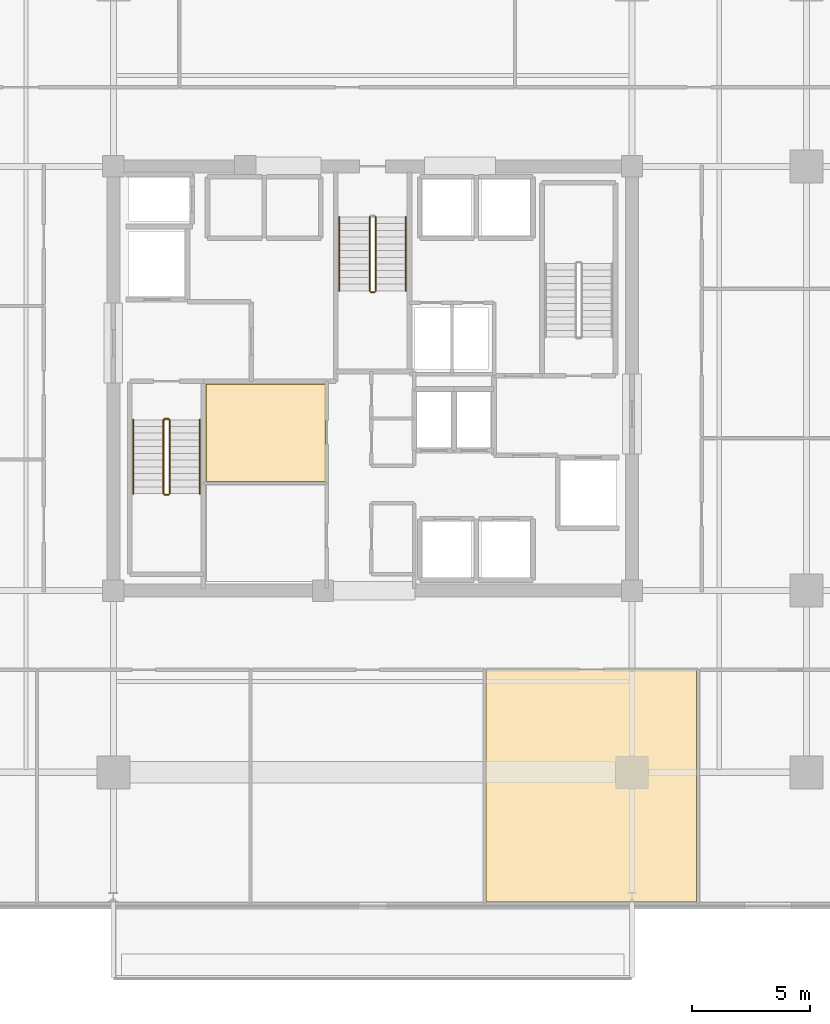
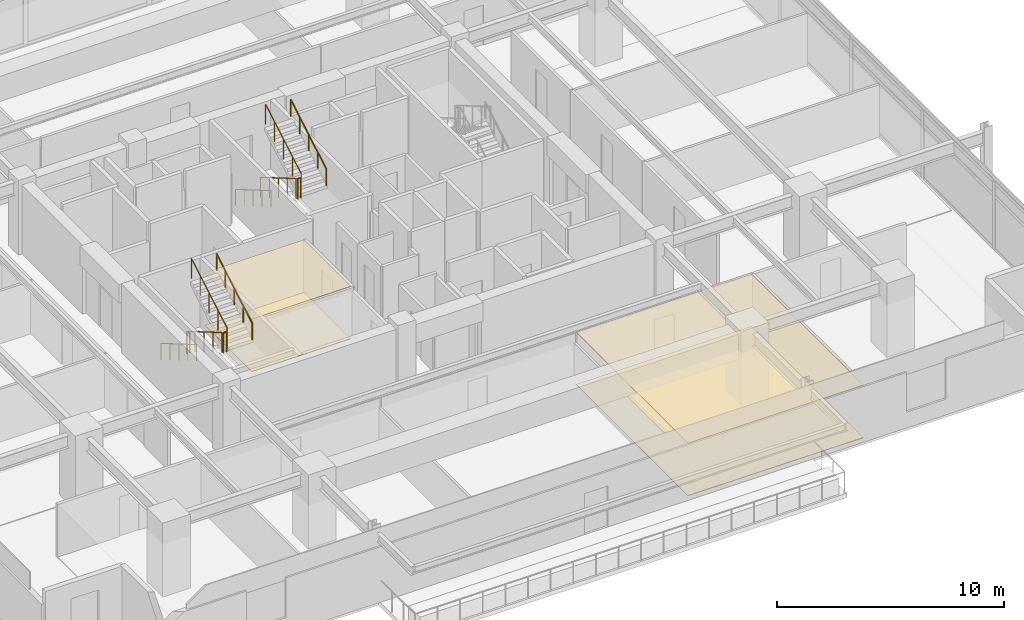
# One storey, part 19 of 22: 11 railings, 4 coverings.
"""IFC4 building model written with IfcOpenShell, lengths in metres."""

from ifc_helpers import new_model, si_unit, direction, frame, origin, origin_2d, place, context, subcontext, project, spatial, polyline, circle, outline, extrude, material, layer, layer_set, type_object, element, save


model = new_model("IFC4")

# Units and contexts
model_context = context("Model", 3, precision=1e-05, world=origin(), true_north=direction((0.0, 1.0)))
body_context = subcontext(model_context, "Body", "Model", "MODEL_VIEW")
ifc_project = project(units=[si_unit("LENGTHUNIT", "METRE"), si_unit("AREAUNIT", "SQUARE_METRE"), si_unit("VOLUMEUNIT", "CUBIC_METRE"), si_unit("PLANEANGLEUNIT", "RADIAN"), si_unit("MASSUNIT", "GRAM", prefix="KILO")], contexts=[model_context])

# Site, building, storey
site_placement = place(None, origin())
site = spatial("IfcSite", under=ifc_project, at=site_placement, CompositionType="ELEMENT")
building_placement = place(site_placement, origin())
building = spatial("IfcBuilding", under=site, at=building_placement, Name="Kovane Verandah Tower", CompositionType="ELEMENT")
storey_placement = place(building_placement, frame((0.0, 0.0, 229.199951171875)))
storey = spatial("IfcBuildingStorey", under=building, at=storey_placement, Name="L53", CompositionType="ELEMENT", Elevation=229.199951171875)

# Coverings
ifc_material_1 = material(Name="Perforated Acoustic Mineral-Fibre Ceiling Tile", Category="gypsum")
ifc_layer_1 = layer(ifc_material_1, 0.02490234375)
ifc_layer_set_1 = layer_set([ifc_layer_1], Name="Perforated Acoustic Mineral-Fibre Ceiling Tile")
covering_type_1 = type_object("IfcCoveringType", Name="CV-CEIL-25", PredefinedType="CEILING", material=ifc_layer_set_1)
covering_1_placement = place(storey_placement, frame((0.0, 0.0, 2.824951171875)))
element("IfcCovering", 1, at=covering_1_placement, inside=storey, type_object=covering_type_1, Name="L53 Telecom MDF Room Acoustic Ceiling", PredefinedType="CEILING", context=body_context, shape_type="SweptSolid", body=[
    extrude(outline(polyline([(32.93505859375, 23.125), (37.9951171875, 23.125), (37.9951171875, 27.264892578125), (32.93505859375, 27.264892578125), (32.93505859375, 23.125)])), origin(), (0.0, 0.0, 1.0), 0.025146484375),
])
covering_2_placement = place(storey_placement, frame((0.0, 0.0, 2.824951171875)))
element("IfcCovering", 2, at=covering_2_placement, inside=storey, type_object=covering_type_1, Name="L53 Open Plan Office S4 Acoustic Ceiling", PredefinedType="CEILING", context=body_context, shape_type="SweptSolid", body=[
    extrude(outline(polyline([(44.815185546875, 5.289794921875), (53.734375, 5.289794921875), (53.734375, 15.14990234375), (44.815185546875, 15.14990234375), (44.815185546875, 5.289794921875)])), origin(), (0.0, 0.0, 1.0), 0.025146484375),
])
ifc_material_2 = material(Name="Polished Terrazzo and Raised-Access Carpet Tile Finish", Category="concrete")
ifc_layer_2 = layer(ifc_material_2, 0.030029296875)
ifc_layer_set_2 = layer_set([ifc_layer_2], Name="Polished Terrazzo and Raised-Access Carpet Tile Finish")
covering_type_2 = type_object("IfcCoveringType", Name="CV-FLOR-30", PredefinedType="FLOORING", material=ifc_layer_set_2)
covering_3_placement = place(storey_placement, origin())
element("IfcCovering", 3, at=covering_3_placement, inside=storey, type_object=covering_type_2, Name="L53 Telecom MDF Room Floor Finish", PredefinedType="FLOORING", context=body_context, shape_type="SweptSolid", body=[
    extrude(outline(polyline([(32.949951171875, 23.139892578125), (37.97998046875, 23.139892578125), (37.97998046875, 27.25), (32.949951171875, 27.25), (32.949951171875, 23.139892578125)])), origin(), (0.0, 0.0, 1.0), 0.030029296875),
])
covering_4_placement = place(storey_placement, origin())
element("IfcCovering", 4, at=covering_4_placement, inside=storey, type_object=covering_type_2, Name="L53 Open Plan Office S4 Floor Finish", PredefinedType="FLOORING", context=body_context, shape_type="SweptSolid", body=[
    extrude(outline(polyline([(44.815185546875, 5.289794921875), (53.734375, 5.289794921875), (53.734375, 15.14990234375), (44.815185546875, 15.14990234375), (44.815185546875, 5.289794921875)])), origin(), (0.0, 0.0, 1.0), 0.030029296875),
])

# Railings
ifc_material_3 = material(Name="Brushed Stainless Steel Handrail", Category="steel")
railing_type_1 = type_object("IfcRailingType", Name="RL-HAND-920", PredefinedType="HANDRAIL", material=ifc_material_3)
railing_1_placement = place(storey_placement, frame((29.85009765625, 25.75, 0.166748046875)))
element("IfcRailing", 5, at=railing_1_placement, inside=storey, type_object=railing_type_1, Name="L53 ST-01 stair handrail 1", PredefinedType="HANDRAIL", context=body_context, shape_type="SweptSolid", body=[
    extrude(circle(Radius=0.02392578125, at=origin_2d()), frame((0.0, 0.0, 0.8759765625), z_axis=(0.0, -0.863239559939, 0.504794475164), x_axis=(1.0, 0.0, 0.0)), (0.0, 0.0, 1.0), 3.631591796875),
    extrude(circle(Radius=0.02099609375, at=origin_2d()), origin(), (0.0, 0.0, 1.0), 0.851806640625),
    extrude(circle(Radius=0.02099609375, at=origin_2d()), frame((0.0, -0.78369140625, 0.458251953125)), (0.0, 0.0, 1.0), 0.851806640625),
    extrude(circle(Radius=0.02099609375, at=origin_2d()), frame((0.0, -1.5673828125, 0.91650390625)), (0.0, 0.0, 1.0), 0.851806640625),
    extrude(circle(Radius=0.02099609375, at=origin_2d()), frame((0.0, -2.351318359375, 1.375)), (0.0, 0.0, 1.0), 0.851806640625),
    extrude(circle(Radius=0.02099609375, at=origin_2d()), frame((0.0, -3.135009765625, 1.833251953125)), (0.0, 0.0, 1.0), 0.851806640625),
])
railing_2_placement = place(storey_placement, frame((32.669921875, 22.614990234375, 2.166748046875)))
element("IfcRailing", 6, at=railing_2_placement, inside=storey, type_object=railing_type_1, Name="L53 ST-01 stair handrail 2", PredefinedType="HANDRAIL", context=body_context, shape_type="SweptSolid", body=[
    extrude(circle(Radius=0.02392578125, at=origin_2d()), frame((0.0, 0.0, 0.8759765625), z_axis=(0.0, 0.863239559939, 0.504794475164), x_axis=(-1.0, 0.0, 0.0)), (0.0, 0.0, 1.0), 3.631591796875),
    extrude(circle(Radius=0.02099609375, at=origin_2d()), origin(), (0.0, 0.0, 1.0), 0.851806640625),
    extrude(circle(Radius=0.02099609375, at=origin_2d()), frame((0.0, 0.78369140625, 0.458251953125)), (0.0, 0.0, 1.0), 0.851806640625),
    extrude(circle(Radius=0.02099609375, at=origin_2d()), frame((0.0, 1.5673828125, 0.91650390625)), (0.0, 0.0, 1.0), 0.851806640625),
    extrude(circle(Radius=0.02099609375, at=origin_2d()), frame((0.0, 2.351318359375, 1.375)), (0.0, 0.0, 1.0), 0.851806640625),
    extrude(circle(Radius=0.02099609375, at=origin_2d()), frame((0.0, 3.135009765625, 1.833251953125)), (0.0, 0.0, 1.0), 0.851806640625),
])
railing_3_placement = place(storey_placement, frame((38.590087890625, 34.35009765625, 0.166748046875)))
element("IfcRailing", 7, at=railing_3_placement, inside=storey, type_object=railing_type_1, Name="L53 ST-03 stair handrail 1", PredefinedType="HANDRAIL", context=body_context, shape_type="SweptSolid", body=[
    extrude(circle(Radius=0.02392578125, at=origin_2d()), frame((0.0, 0.0, 0.8759765625), z_axis=(0.0, -0.863239559939, 0.504794475164), x_axis=(1.0, 0.0, 0.0)), (0.0, 0.0, 1.0), 3.631591796875),
    extrude(circle(Radius=0.02099609375, at=origin_2d()), origin(), (0.0, 0.0, 1.0), 0.851806640625),
    extrude(circle(Radius=0.02099609375, at=origin_2d()), frame((0.0, -0.78369140625, 0.458251953125)), (0.0, 0.0, 1.0), 0.851806640625),
    extrude(circle(Radius=0.02099609375, at=origin_2d()), frame((0.0, -1.5673828125, 0.91650390625)), (0.0, 0.0, 1.0), 0.851806640625),
    extrude(circle(Radius=0.02099609375, at=origin_2d()), frame((0.0, -2.351318359375, 1.375)), (0.0, 0.0, 1.0), 0.851806640625),
    extrude(circle(Radius=0.02099609375, at=origin_2d()), frame((0.0, -3.135009765625, 1.833251953125)), (0.0, 0.0, 1.0), 0.851806640625),
])
railing_4_placement = place(storey_placement, frame((41.409912109375, 31.215087890625, 2.166748046875)))
element("IfcRailing", 8, at=railing_4_placement, inside=storey, type_object=railing_type_1, Name="L53 ST-03 stair handrail 2", PredefinedType="HANDRAIL", context=body_context, shape_type="SweptSolid", body=[
    extrude(circle(Radius=0.02392578125, at=origin_2d()), frame((0.0, 0.0, 0.8759765625), z_axis=(0.0, 0.863239559939, 0.504794475164), x_axis=(-1.0, 0.0, 0.0)), (0.0, 0.0, 1.0), 3.631591796875),
    extrude(circle(Radius=0.02099609375, at=origin_2d()), origin(), (0.0, 0.0, 1.0), 0.851806640625),
    extrude(circle(Radius=0.02099609375, at=origin_2d()), frame((0.0, 0.78369140625, 0.458251953125)), (0.0, 0.0, 1.0), 0.851806640625),
    extrude(circle(Radius=0.02099609375, at=origin_2d()), frame((0.0, 1.5673828125, 0.91650390625)), (0.0, 0.0, 1.0), 0.851806640625),
    extrude(circle(Radius=0.02099609375, at=origin_2d()), frame((0.0, 2.351318359375, 1.375)), (0.0, 0.0, 1.0), 0.851806640625),
    extrude(circle(Radius=0.02099609375, at=origin_2d()), frame((0.0, 3.135009765625, 1.833251953125)), (0.0, 0.0, 1.0), 0.851806640625),
])
ifc_material_4 = material(Name="Painted Steel Stairwell Guardrail", Category="steel")
railing_type_2 = type_object("IfcRailingType", Name="RL-STGUARD-1120", PredefinedType="GUARDRAIL", material=ifc_material_4)
railing_5_placement = place(storey_placement, frame((31.1298828125, 25.75, 0.166748046875)))
element("IfcRailing", 9, at=railing_5_placement, inside=storey, type_object=railing_type_2, Name="L53 ST-01 stair guard 1", PredefinedType="GUARDRAIL", context=body_context, shape_type="SweptSolid", body=[
    extrude(circle(Radius=0.02392578125, at=origin_2d()), frame((0.0, 0.0, 1.076171875), z_axis=(0.0, -0.863239559939, 0.504794475164), x_axis=(1.0, 0.0, 0.0)), (0.0, 0.0, 1.0), 3.631591796875),
    extrude(circle(Radius=0.02099609375, at=origin_2d()), origin(), (0.0, 0.0, 1.0), 1.052001953125),
    extrude(circle(Radius=0.02099609375, at=origin_2d()), frame((0.0, -0.78369140625, 0.458251953125)), (0.0, 0.0, 1.0), 1.052001953125),
    extrude(circle(Radius=0.02099609375, at=origin_2d()), frame((0.0, -1.5673828125, 0.91650390625)), (0.0, 0.0, 1.0), 1.052001953125),
    extrude(circle(Radius=0.02099609375, at=origin_2d()), frame((0.0, -2.351318359375, 1.375)), (0.0, 0.0, 1.0), 1.052001953125),
    extrude(circle(Radius=0.02099609375, at=origin_2d()), frame((0.0, -3.135009765625, 1.833251953125)), (0.0, 0.0, 1.0), 1.052001953125),
])
railing_6_placement = place(storey_placement, frame((31.179931640625, 22.56494140625, 2.0)))
element("IfcRailing", 10, at=railing_6_placement, inside=storey, type_object=railing_type_2, Name="L53 ST-01 stair guard 2", PredefinedType="GUARDRAIL", context=body_context, shape_type="SweptSolid", body=[
    extrude(circle(Radius=0.02392578125, at=origin_2d()), frame((0.0, 0.0, 1.076171875), z_axis=(1.0, 0.0, 0.0), x_axis=(0.0, 1.0, 0.0)), (0.0, 0.0, 1.0), 0.16015625),
    extrude(circle(Radius=0.02099609375, at=origin_2d()), origin(), (0.0, 0.0, 1.0), 1.052001953125),
    extrude(circle(Radius=0.02099609375, at=origin_2d()), frame((0.16015625, 0.0, 0.0)), (0.0, 0.0, 1.0), 1.052001953125),
])
railing_7_placement = place(storey_placement, frame((31.389892578125, 22.614990234375, 2.166748046875)))
element("IfcRailing", 11, at=railing_7_placement, inside=storey, type_object=railing_type_2, Name="L53 ST-01 stair guard 3", PredefinedType="GUARDRAIL", context=body_context, shape_type="SweptSolid", body=[
    extrude(circle(Radius=0.02392578125, at=origin_2d()), frame((0.0, 0.0, 1.076171875), z_axis=(0.0, 0.863239559939, 0.504794475164), x_axis=(-1.0, 0.0, 0.0)), (0.0, 0.0, 1.0), 3.631591796875),
    extrude(circle(Radius=0.02099609375, at=origin_2d()), origin(), (0.0, 0.0, 1.0), 1.052001953125),
    extrude(circle(Radius=0.02099609375, at=origin_2d()), frame((0.0, 0.78369140625, 0.458251953125)), (0.0, 0.0, 1.0), 1.052001953125),
    extrude(circle(Radius=0.02099609375, at=origin_2d()), frame((0.0, 1.5673828125, 0.91650390625)), (0.0, 0.0, 1.0), 1.052001953125),
    extrude(circle(Radius=0.02099609375, at=origin_2d()), frame((0.0, 2.351318359375, 1.375)), (0.0, 0.0, 1.0), 1.052001953125),
    extrude(circle(Radius=0.02099609375, at=origin_2d()), frame((0.0, 3.135009765625, 1.833251953125)), (0.0, 0.0, 1.0), 1.052001953125),
])
railing_8_placement = place(storey_placement, frame((31.179931640625, 25.800048828125, 0.0)))
element("IfcRailing", 12, at=railing_8_placement, inside=storey, type_object=railing_type_2, Name="L53 ST-01 stair guard 4", PredefinedType="GUARDRAIL", context=body_context, shape_type="SweptSolid", body=[
    extrude(circle(Radius=0.02392578125, at=origin_2d()), frame((0.0, 0.0, 1.076171875), z_axis=(1.0, 0.0, 0.0), x_axis=(0.0, 1.0, 0.0)), (0.0, 0.0, 1.0), 0.16015625),
    extrude(circle(Radius=0.02099609375, at=origin_2d()), origin(), (0.0, 0.0, 1.0), 1.052001953125),
    extrude(circle(Radius=0.02099609375, at=origin_2d()), frame((0.16015625, 0.0, 0.0)), (0.0, 0.0, 1.0), 1.052001953125),
])
railing_9_placement = place(storey_placement, frame((39.8701171875, 34.35009765625, 0.166748046875)))
element("IfcRailing", 13, at=railing_9_placement, inside=storey, type_object=railing_type_2, Name="L53 ST-03 stair guard 1", PredefinedType="GUARDRAIL", context=body_context, shape_type="SweptSolid", body=[
    extrude(circle(Radius=0.02392578125, at=origin_2d()), frame((0.0, 0.0, 1.076171875), z_axis=(0.0, -0.863239559939, 0.504794475164), x_axis=(1.0, 0.0, 0.0)), (0.0, 0.0, 1.0), 3.631591796875),
    extrude(circle(Radius=0.02099609375, at=origin_2d()), origin(), (0.0, 0.0, 1.0), 1.052001953125),
    extrude(circle(Radius=0.02099609375, at=origin_2d()), frame((0.0, -0.78369140625, 0.458251953125)), (0.0, 0.0, 1.0), 1.052001953125),
    extrude(circle(Radius=0.02099609375, at=origin_2d()), frame((0.0, -1.5673828125, 0.91650390625)), (0.0, 0.0, 1.0), 1.052001953125),
    extrude(circle(Radius=0.02099609375, at=origin_2d()), frame((0.0, -2.351318359375, 1.375)), (0.0, 0.0, 1.0), 1.052001953125),
    extrude(circle(Radius=0.02099609375, at=origin_2d()), frame((0.0, -3.135009765625, 1.833251953125)), (0.0, 0.0, 1.0), 1.052001953125),
])
railing_10_placement = place(storey_placement, frame((39.919921875, 31.1650390625, 2.0)))
element("IfcRailing", 14, at=railing_10_placement, inside=storey, type_object=railing_type_2, Name="L53 ST-03 stair guard 2", PredefinedType="GUARDRAIL", context=body_context, shape_type="SweptSolid", body=[
    extrude(circle(Radius=0.02392578125, at=origin_2d()), frame((0.0, 0.0, 1.076171875), z_axis=(1.0, 0.0, 0.0), x_axis=(0.0, 1.0, 0.0)), (0.0, 0.0, 1.0), 0.16015625),
    extrude(circle(Radius=0.02099609375, at=origin_2d()), origin(), (0.0, 0.0, 1.0), 1.052001953125),
    extrude(circle(Radius=0.02099609375, at=origin_2d()), frame((0.16015625, 0.0, 0.0)), (0.0, 0.0, 1.0), 1.052001953125),
])
railing_11_placement = place(storey_placement, frame((40.1298828125, 31.215087890625, 2.166748046875)))
element("IfcRailing", 15, at=railing_11_placement, inside=storey, type_object=railing_type_2, Name="L53 ST-03 stair guard 3", PredefinedType="GUARDRAIL", context=body_context, shape_type="SweptSolid", body=[
    extrude(circle(Radius=0.02392578125, at=origin_2d()), frame((0.0, 0.0, 1.076171875), z_axis=(0.0, 0.863239559939, 0.504794475164), x_axis=(-1.0, 0.0, 0.0)), (0.0, 0.0, 1.0), 3.631591796875),
    extrude(circle(Radius=0.02099609375, at=origin_2d()), origin(), (0.0, 0.0, 1.0), 1.052001953125),
    extrude(circle(Radius=0.02099609375, at=origin_2d()), frame((0.0, 0.78369140625, 0.458251953125)), (0.0, 0.0, 1.0), 1.052001953125),
    extrude(circle(Radius=0.02099609375, at=origin_2d()), frame((0.0, 1.5673828125, 0.91650390625)), (0.0, 0.0, 1.0), 1.052001953125),
    extrude(circle(Radius=0.02099609375, at=origin_2d()), frame((0.0, 2.351318359375, 1.375)), (0.0, 0.0, 1.0), 1.052001953125),
    extrude(circle(Radius=0.02099609375, at=origin_2d()), frame((0.0, 3.135009765625, 1.833251953125)), (0.0, 0.0, 1.0), 1.052001953125),
])

save(model, "model.ifc")
